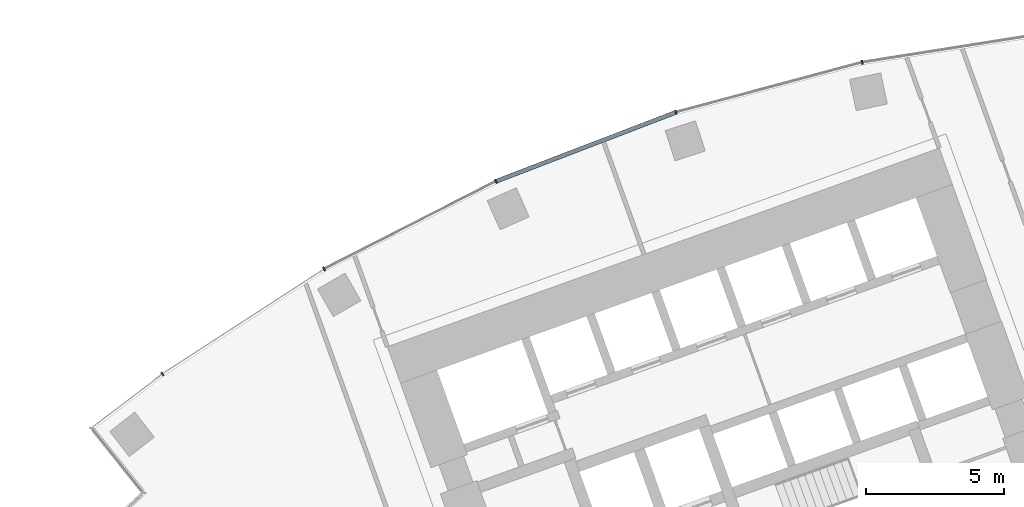
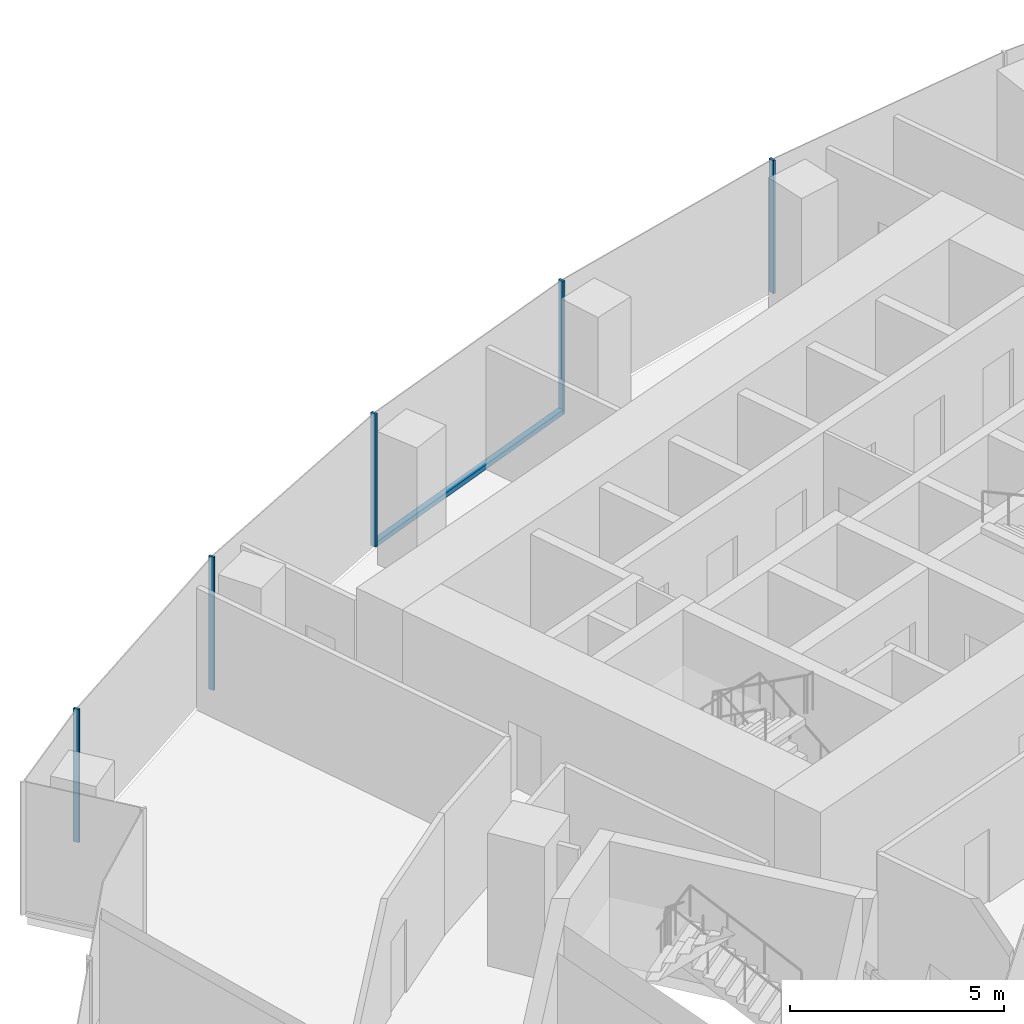
# One storey, part 5 of 19: 6 members, 1 element without a shape of its own.
"""IFC4 building model written with IfcOpenShell, lengths in metres."""

from ifc_helpers import new_model, si_unit, direction, frame, origin, origin_2d, place, context, subcontext, project, spatial, rectangle, extrude, material, layer, layer_set, material_profile, profile_set, type_object, element, aggregate, save


model = new_model("IFC4")

# Units and contexts
model_context = context("Model", 3, precision=1e-05, world=origin(), true_north=direction((0.0, 1.0)))
body_context = subcontext(model_context, "Body", "Model", "MODEL_VIEW")
ifc_project = project(units=[si_unit("LENGTHUNIT", "METRE"), si_unit("AREAUNIT", "SQUARE_METRE"), si_unit("VOLUMEUNIT", "CUBIC_METRE"), si_unit("PLANEANGLEUNIT", "RADIAN"), si_unit("MASSUNIT", "GRAM", prefix="KILO")], contexts=[model_context])

# Site, building, storey
site_placement = place(None, origin())
site = spatial("IfcSite", under=ifc_project, at=site_placement, CompositionType="ELEMENT")
building_placement = place(site_placement, origin())
building = spatial("IfcBuilding", under=site, at=building_placement, Name="Stone Belt Terrace Tower", CompositionType="ELEMENT")
storey_placement = place(building_placement, frame((0.0, 0.0, 128.800048828125)))
storey = spatial("IfcBuildingStorey", under=building, at=storey_placement, Name="L31", CompositionType="ELEMENT", Elevation=128.800048828125)

# Curtain wall, members
ifc_material = material(Name="Aluminium 6063-T6 anodised frame", Category="aluminium")
ifc_layer = layer(ifc_material, 0.14990234375)
ifc_layer_set = layer_set([ifc_layer], Name="CW-A unitised convex-face curtain wall")
curtain_wall_type = type_object("IfcCurtainWallType", Name="CW-A unitised convex-face curtain wall", PredefinedType="NOTDEFINED", material=ifc_layer_set)
curtain_wall_placement = place(storey_placement, origin())
curtain_wall = element("IfcCurtainWall", 1, at=curtain_wall_placement, inside=storey, type_object=curtain_wall_type, Name="CW-A convex face L31", PredefinedType="NOTDEFINED")
ifc_material_profile_1 = material_profile(ifc_material, rectangle(XDim=0.14990234375, YDim=0.06005859375, at=origin_2d()), Name="Aluminium 6063-T6 60x150")
ifc_profile_set_1 = profile_set([ifc_material_profile_1], Name="Aluminium 6063-T6 anodised frame")
member_type_1 = type_object("IfcMemberType", Name="CW-A mullion 60 x 150", PredefinedType="MULLION", material=ifc_profile_set_1)
member_1_placement = place(storey_placement, frame((-13.841796875, 65.120361328125, 0.0), z_axis=(0.0, 0.0, 1.0), x_axis=(0.207911690818, -0.978147600734, 0.0)))
member_1 = element("IfcMember", 2, at=member_1_placement, type_object=member_type_1, Name="CW-A mullion 12", PredefinedType="MULLION", context=body_context, shape_type="SweptSolid", body=[
    extrude(rectangle(XDim=0.14990234375, YDim=0.06005859375, at=origin_2d()), origin(), (0.0, 0.0, 1.0), 3.800048828125),
])
member_2_placement = place(storey_placement, frame((-20.57275390625, 63.316650390625, 0.0), z_axis=(0.0, 0.0, 1.0), x_axis=(0.309016994375, -0.951056516295, 0.0)))
member_2 = element("IfcMember", 3, at=member_2_placement, type_object=member_type_1, Name="CW-A mullion 13", PredefinedType="MULLION", context=body_context, shape_type="SweptSolid", body=[
    extrude(rectangle(XDim=0.14990234375, YDim=0.06005859375, at=origin_2d()), origin(), (0.0, 0.0, 1.0), 3.800048828125),
])
member_3_placement = place(storey_placement, frame((-27.07861328125, 60.8193359375, 0.0), z_axis=(0.0, 0.0, 1.0), x_axis=(0.406736643076, -0.913545457643, 0.0)))
member_3 = element("IfcMember", 4, at=member_3_placement, type_object=member_type_1, Name="CW-A mullion 14", PredefinedType="MULLION", context=body_context, shape_type="SweptSolid", body=[
    extrude(rectangle(XDim=0.14990234375, YDim=0.06005859375, at=origin_2d()), origin(), (0.0, 0.0, 1.0), 3.800048828125),
])
member_4_placement = place(storey_placement, frame((-33.28759765625, 57.65576171875, 0.0), z_axis=(0.0, 0.0, 1.0), x_axis=(0.5, -0.866025403784, 0.0)))
member_4 = element("IfcMember", 5, at=member_4_placement, type_object=member_type_1, Name="CW-A mullion 15", PredefinedType="MULLION", context=body_context, shape_type="SweptSolid", body=[
    extrude(rectangle(XDim=0.14990234375, YDim=0.06005859375, at=origin_2d()), origin(), (0.0, 0.0, 1.0), 3.800048828125),
])
member_5_placement = place(storey_placement, frame((-39.130859375, 53.861083984375, 0.0), z_axis=(0.0, 0.0, 1.0), x_axis=(0.576101937282, -0.81737785501, 0.0)))
member_5 = element("IfcMember", 6, at=member_5_placement, type_object=member_type_1, Name="CW-A mullion 16", PredefinedType="MULLION", context=body_context, shape_type="SweptSolid", body=[
    extrude(rectangle(XDim=0.14990234375, YDim=0.06005859375, at=origin_2d()), origin(), (0.0, 0.0, 1.0), 3.800048828125),
])
ifc_material_profile_2 = material_profile(ifc_material, rectangle(XDim=0.14990234375, YDim=0.139892578125, at=origin_2d()), Name="Aluminium 6063-T6 150x140")
ifc_profile_set_2 = profile_set([ifc_material_profile_2], Name="Aluminium 6063-T6 anodised frame")
member_type_2 = type_object("IfcMemberType", Name="CW-A transom 140 x 150", PredefinedType="USERDEFINED", material=ifc_profile_set_2)
member_6_placement = place(storey_placement, frame((-20.6044921875, 63.304443359375, 0.070068359375), z_axis=(-0.933585210269, -0.358355487146, 0.0), x_axis=(0.358355487146, -0.933585210269, 0.0)))
member_6 = element("IfcMember", 7, at=member_6_placement, type_object=member_type_2, Name="CW-A transom 13.1", ObjectType="TRANSOM", PredefinedType="USERDEFINED", context=body_context, shape_type="SweptSolid", body=[
    extrude(rectangle(XDim=0.14990234375, YDim=0.139892578125, at=origin_2d()), origin(), (0.0, 0.0, 1.0), 6.900634765625),
])
aggregate(curtain_wall, [member_1, member_2, member_3, member_4, member_5, member_6])

save(model, "model.ifc")
